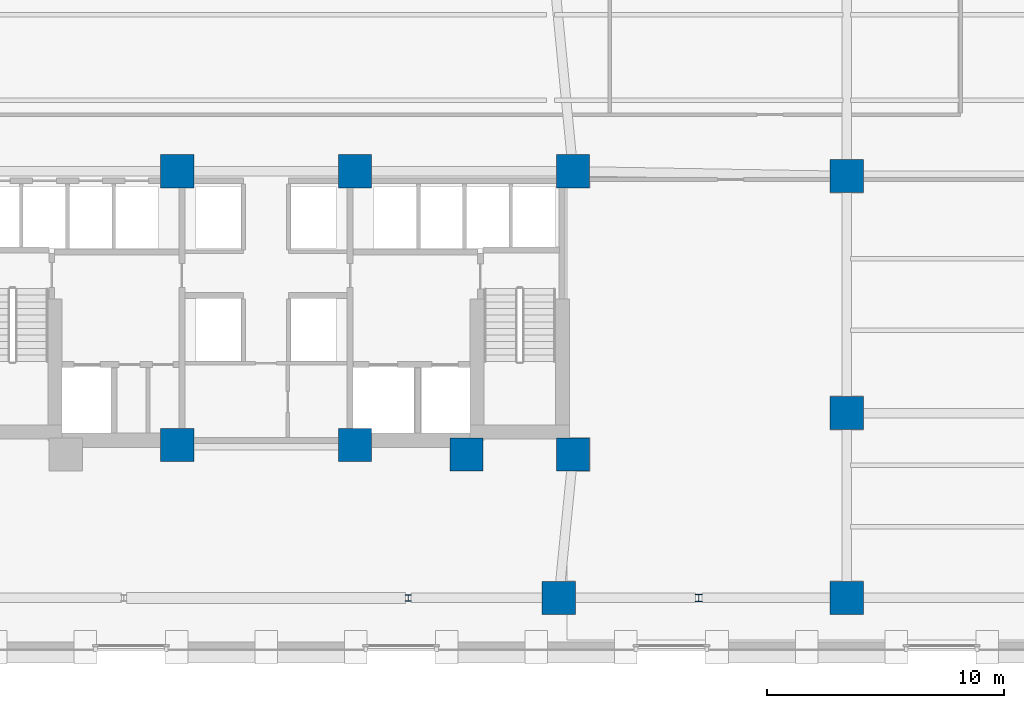
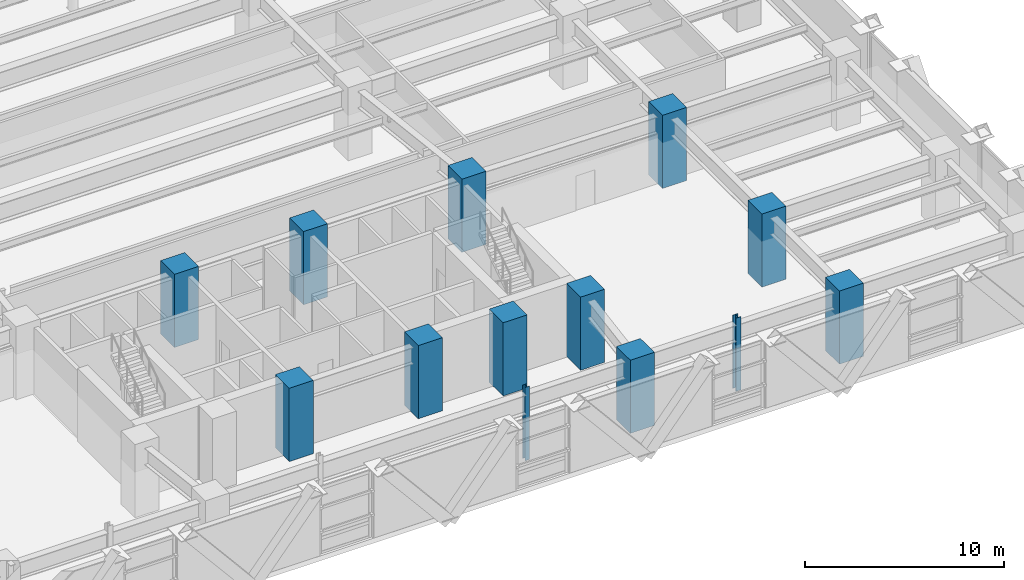
# One storey, part 3 of 26: 13 columns.
"""IFC4 building model written with IfcOpenShell, lengths in metres."""

from ifc_helpers import new_model, si_unit, direction, frame, origin, origin_2d, place, context, subcontext, project, spatial, rectangle, i_section, extrude, material, material_profile, profile_set, type_object, element, save


model = new_model("IFC4")

# Units and contexts
model_context = context("Model", 3, precision=1e-05, world=origin(), true_north=direction((0.0, 1.0)))
body_context = subcontext(model_context, "Body", "Model", "MODEL_VIEW")
ifc_project = project(units=[si_unit("LENGTHUNIT", "METRE"), si_unit("AREAUNIT", "SQUARE_METRE"), si_unit("VOLUMEUNIT", "CUBIC_METRE"), si_unit("PLANEANGLEUNIT", "RADIAN"), si_unit("MASSUNIT", "GRAM", prefix="KILO")], contexts=[model_context])

# Site, building, storey
site_placement = place(None, origin())
site = spatial("IfcSite", under=ifc_project, at=site_placement, CompositionType="ELEMENT")
building_placement = place(site_placement, origin())
building = spatial("IfcBuilding", under=site, at=building_placement, Name="Quenlor Broadcast Tower", CompositionType="ELEMENT")
storey_placement = place(building_placement, frame((0.0, 0.0, 18.5)))
storey = spatial("IfcBuildingStorey", under=building, at=storey_placement, Name="L04", CompositionType="ELEMENT", Elevation=18.5)

# Columns
ifc_material_1 = material(Name="Concrete C65/80", Category="concrete")
ifc_material_profile_1 = material_profile(ifc_material_1, rectangle(XDim=1.39990234375, YDim=1.39990234375, at=origin_2d()))
ifc_profile_set_1 = profile_set([ifc_material_profile_1], Name="Concrete C65/80 RC1400x1400")
column_type_1 = type_object("IfcColumnType", Name="Core Corner Column Lower Concrete C65/80 1400", PredefinedType="COLUMN", material=ifc_profile_set_1)
for number, where, z_axis, x_axis, name in (
    (1, (-3.75, -16.35009765625, 0.0), (0.0, 0.0, 1.0), (1.0, 0.0, 0.0), "L04 Core Column CC3"),
    (2, (3.75, -16.35009765625, 0.0), (0.0, 0.0, 1.0), (1.0, 0.0, 0.0), "L04 Core Column CC4"),
    (3, (8.449951171875, -16.75, 0.0), (0.0, 0.0, 1.0), (1.0, 0.0, 0.0), "L04 Core Column CC5"),
    (4, (12.949951171875, -16.75, 0.0), (0.0, 0.0, 1.0), (1.0, 0.0, 0.0), "L04 Core Column CC6"),
    (5, (-3.75, -4.800048828125, 0.0), (0.0, 0.0, 1.0), (1.0, 0.0, 0.0), "L04 Core Column CC8"),
    (6, (3.75, -4.800048828125, 0.0), (0.0, 0.0, 1.0), (1.0, 0.0, 0.0), "L04 Core Column CC9"),
    (7, (12.949951171875, -4.800048828125, 0.0), (0.0, 0.0, 1.0), (1.0, 0.0, 0.0), "L04 Core Column CC10"),
):
    element("IfcColumn", number, at=place(storey_placement, frame(where, z_axis=z_axis, x_axis=x_axis)), inside=storey, type_object=column_type_1, Name=name, PredefinedType="COLUMN", context=body_context, shape_type="SweptSolid", body=[
        extrude(rectangle(XDim=1.39990234375, YDim=1.39990234375, at=origin_2d()), origin(), (0.0, 0.0, 1.0), 4.5),
    ])
ifc_material_2 = material(Name="Steel S355", Category="steel")
ifc_material_profile_2 = material_profile(ifc_material_2, i_section(OverallWidth=0.30908203125, OverallDepth=0.320556640625, WebThickness=0.013916015625, FlangeThickness=0.021728515625, FilletRadius=0.0166015625, at=origin_2d()))
ifc_profile_set_2 = profile_set([ifc_material_profile_2], Name="Steel S355 310UC137")
column_type_2 = type_object("IfcColumnType", Name="Podium Canopy Post Steel S355 310UC137", PredefinedType="COLUMN", material=ifc_profile_set_2)
column_1_placement = place(storey_placement, frame((18.25, -22.800048828125, 0.0), z_axis=(0.0, 0.0, 1.0), x_axis=(1.0, 0.0, 0.0)))
element("IfcColumn", 8, at=column_1_placement, inside=storey, type_object=column_type_2, Name="L04 Station Steel Column SPE1", PredefinedType="COLUMN", context=body_context, shape_type="SweptSolid", body=[
    extrude(i_section(OverallWidth=0.30908203125, OverallDepth=0.320556640625, WebThickness=0.013916015625, FlangeThickness=0.021728515625, FilletRadius=0.0166015625, at=origin_2d()), origin(), (0.0, 0.0, 1.0), 4.5),
])
ifc_material_3 = material(Name="Steel S355", Category="steel")
ifc_material_profile_3 = material_profile(ifc_material_3, i_section(OverallWidth=0.256103515625, OverallDepth=0.260009765625, WebThickness=0.010498046875, FlangeThickness=0.017333984375, FilletRadius=0.013916015625, at=origin_2d()))
ifc_profile_set_3 = profile_set([ifc_material_profile_3], Name="Steel S355 250UC89.5")
column_type_3 = type_object("IfcColumnType", Name="Podium Gallery Post Steel S355 250UC89.5", PredefinedType="COLUMN", material=ifc_profile_set_3)
column_2_placement = place(storey_placement, frame((6.0, -22.800048828125, 0.0), z_axis=(0.0, 0.0, 1.0), x_axis=(1.0, 0.0, 0.0)))
element("IfcColumn", 9, at=column_2_placement, inside=storey, type_object=column_type_3, Name="L04 Station Steel Column SPE2", PredefinedType="COLUMN", context=body_context, shape_type="SweptSolid", body=[
    extrude(i_section(OverallWidth=0.256103515625, OverallDepth=0.260009765625, WebThickness=0.010498046875, FlangeThickness=0.017333984375, FilletRadius=0.013916015625, at=origin_2d()), origin(), (0.0, 0.0, 1.0), 4.5),
])
ifc_material_4 = material(Name="Concrete C65/80", Category="concrete")
ifc_material_profile_4 = material_profile(ifc_material_4, rectangle(XDim=1.39990234375, YDim=1.39990234375, at=origin_2d()))
ifc_profile_set_4 = profile_set([ifc_material_profile_4], Name="Concrete C65/80 RC1400x1400")
column_type_4 = type_object("IfcColumnType", Name="Podium Mega Column Concrete C65/80 1400", PredefinedType="COLUMN", material=ifc_profile_set_4)
for number, where, z_axis, x_axis, name in (
    (10, (12.35009765625, -22.800048828125, 0.0), (0.0, 0.0, 1.0), (1.0, 0.0, 0.0), "L04 Podium Mega Column PM4"),
    (11, (24.5, -22.800048828125, 0.0), (0.0, 0.0, 1.0), (1.0, 0.0, 0.0), "L04 Podium Mega Column PM5"),
    (12, (24.5, -15.0, 0.0), (0.0, 0.0, 1.0), (1.0, 0.0, 0.0), "L04 Podium Mega Column PM9"),
    (13, (24.5, -5.0, 0.0), (0.0, 0.0, 1.0), (1.0, 0.0, 0.0), "L04 Podium Mega Column PM13"),
):
    element("IfcColumn", number, at=place(storey_placement, frame(where, z_axis=z_axis, x_axis=x_axis)), inside=storey, type_object=column_type_4, Name=name, PredefinedType="COLUMN", context=body_context, shape_type="SweptSolid", body=[
        extrude(rectangle(XDim=1.39990234375, YDim=1.39990234375, at=origin_2d()), origin(), (0.0, 0.0, 1.0), 4.5),
    ])

save(model, "model.ifc")
